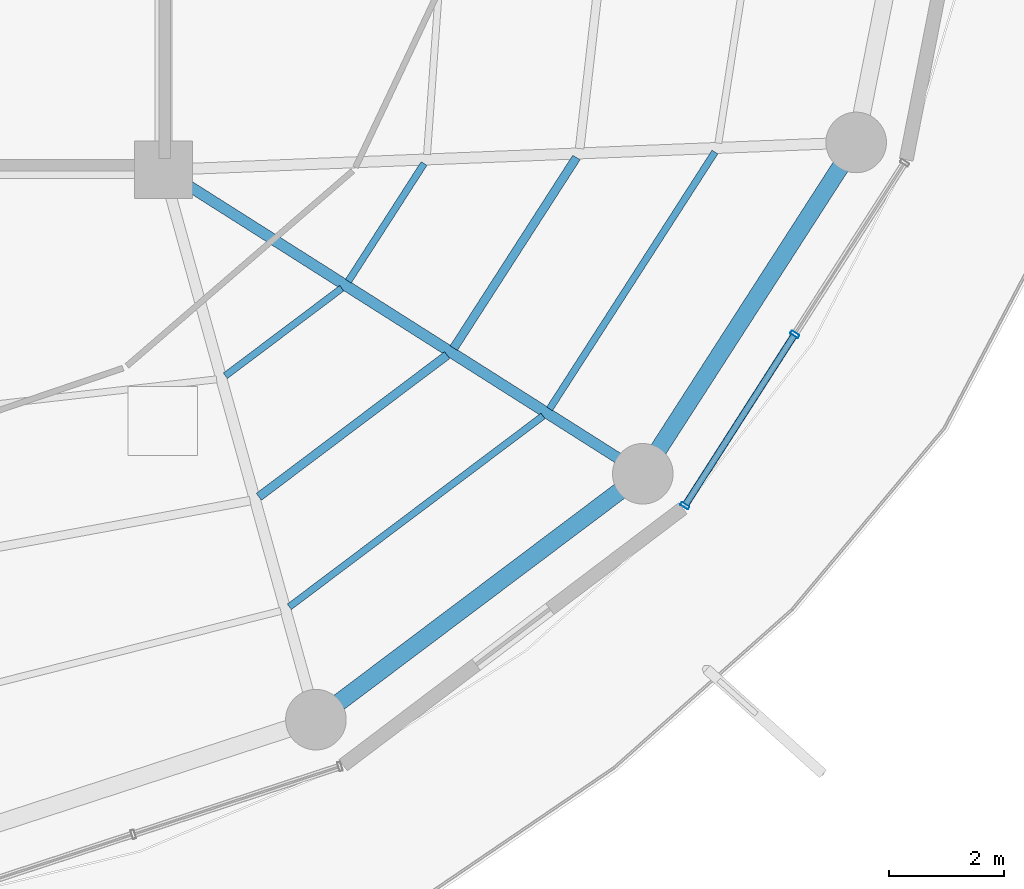
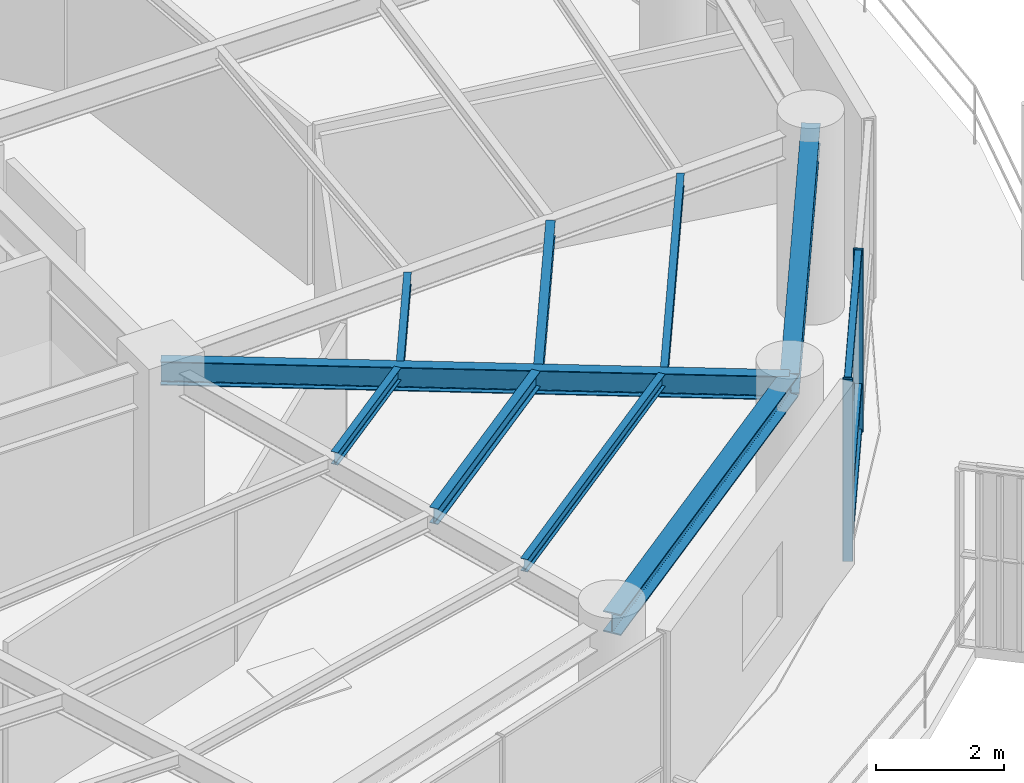
# One storey, part 11 of 31: 9 beams, 5 members, 1 element without a shape of its own.
"""IFC4 building model written with IfcOpenShell, lengths in metres."""

from ifc_helpers import new_model, si_unit, direction, frame, origin, origin_2d, place, context, subcontext, project, spatial, hollow_rectangle, i_section, extrude, material, layer, layer_set, material_profile, profile_set, type_object, element, aggregate, save


model = new_model("IFC4")

# Units and contexts
model_context = context("Model", 3, precision=1e-05, world=origin(), true_north=direction((0.0, 1.0)))
body_context = subcontext(model_context, "Body", "Model", "MODEL_VIEW")
ifc_project = project(units=[si_unit("LENGTHUNIT", "METRE"), si_unit("AREAUNIT", "SQUARE_METRE"), si_unit("VOLUMEUNIT", "CUBIC_METRE"), si_unit("PLANEANGLEUNIT", "RADIAN"), si_unit("MASSUNIT", "GRAM", prefix="KILO")], contexts=[model_context])

# Site, building, storey
site_placement = place(None, origin())
site = spatial("IfcSite", under=ifc_project, at=site_placement, CompositionType="ELEMENT")
building_placement = place(site_placement, origin())
building = spatial("IfcBuilding", under=site, at=building_placement, Name="Kelanora Arch Commons", CompositionType="ELEMENT")
storey_placement = place(building_placement, frame((0.0, 0.0, 223.199951171875)))
storey = spatial("IfcBuildingStorey", under=building, at=storey_placement, Name="L57", CompositionType="ELEMENT", Elevation=223.199951171875)

# Beams
ifc_material_1 = material(Name="Steel S355", Category="steel")
ifc_material_profile_1 = material_profile(ifc_material_1, i_section(OverallWidth=0.14990234375, OverallDepth=0.300048828125, WebThickness=0.007080078125, FlangeThickness=0.0107421875, FilletRadius=0.014892578125, at=origin_2d()), Name="IPE300")
ifc_profile_set_1 = profile_set([ifc_material_profile_1], Name="Steel S355")
beam_type_1 = type_object("IfcBeamType", Name="BM-JST-01", PredefinedType="JOIST", material=ifc_profile_set_1)
beam_1_placement = place(storey_placement, frame((83.65185546875, 45.3369140625, 3.340087890625), z_axis=(0.799101708656, 0.601195857624, 0.0), x_axis=(-0.601195857624, 0.799101708656, 0.0)))
element("IfcBeam", 1, at=beam_1_placement, inside=storey, type_object=beam_type_1, Name="Secondary Chord Joist BJB-30 L57", PredefinedType="JOIST", context=body_context, shape_type="SweptSolid", body=[
    extrude(i_section(OverallWidth=0.14990234375, OverallDepth=0.300048828125, WebThickness=0.007080078125, FlangeThickness=0.0107421875, FilletRadius=0.014892578125, at=origin_2d()), origin(), (0.0, 0.0, 1.0), 4.080810546875),
])
beam_2_placement = place(storey_placement, frame((87.02685546875, 47.912841796875, 3.340087890625), z_axis=(0.541411265892, 0.840757896879, 0.0), x_axis=(-0.840757896879, 0.541411265892, 0.0)))
element("IfcBeam", 2, at=beam_2_placement, inside=storey, type_object=beam_type_1, Name="Secondary Chord Joist BJB-32 L57", PredefinedType="JOIST", context=body_context, shape_type="SweptSolid", body=[
    extrude(i_section(OverallWidth=0.14990234375, OverallDepth=0.300048828125, WebThickness=0.007080078125, FlangeThickness=0.0107421875, FilletRadius=0.014892578125, at=origin_2d()), origin(), (0.0, 0.0, 1.0), 3.92529296875),
])
ifc_material_profile_2 = material_profile(ifc_material_1, i_section(OverallWidth=0.1201171875, OverallDepth=0.239990234375, WebThickness=0.006103515625, FlangeThickness=0.009765625, FilletRadius=0.014892578125, at=origin_2d()), Name="IPE240")
ifc_profile_set_2 = profile_set([ifc_material_profile_2], Name="Steel S355")
beam_type_2 = type_object("IfcBeamType", Name="BM-JST-02", PredefinedType="JOIST", material=ifc_profile_set_2)
beam_3_placement = place(storey_placement, frame((83.071044921875, 47.43212890625, 3.3701171875), z_axis=(0.79911638933, 0.601176343766, 0.0), x_axis=(-0.601176343766, 0.79911638933, 0.0)))
element("IfcBeam", 3, at=beam_3_placement, inside=storey, type_object=beam_type_2, Name="Secondary Chord Joist BJA-30 L57", PredefinedType="JOIST", context=body_context, shape_type="SweptSolid", body=[
    extrude(i_section(OverallWidth=0.1201171875, OverallDepth=0.239990234375, WebThickness=0.006103515625, FlangeThickness=0.009765625, FilletRadius=0.014892578125, at=origin_2d()), origin(), (0.0, 0.0, 1.0), 2.522216796875),
])
beam_4_placement = place(storey_placement, frame((84.179931640625, 43.43212890625, 3.3701171875), z_axis=(0.799109197935, 0.601185902842, 0.0), x_axis=(-0.601185902842, 0.799109197935, 0.0)))
element("IfcBeam", 4, at=beam_4_placement, inside=storey, type_object=beam_type_2, Name="Secondary Chord Joist BJC-30 L57", PredefinedType="JOIST", context=body_context, shape_type="SweptSolid", body=[
    extrude(i_section(OverallWidth=0.1201171875, OverallDepth=0.239990234375, WebThickness=0.006103515625, FlangeThickness=0.009765625, FilletRadius=0.014892578125, at=origin_2d()), origin(), (0.0, 0.0, 1.0), 5.497802734375),
])
beam_5_placement = place(storey_placement, frame((85.20068359375, 49.071044921875, 3.3701171875), z_axis=(0.541332763503, 0.840808443796, 0.0), x_axis=(-0.840808443796, 0.541332763503, 0.0)))
element("IfcBeam", 5, at=beam_5_placement, inside=storey, type_object=beam_type_2, Name="Secondary Chord Joist BJA-32 L57", PredefinedType="JOIST", context=body_context, shape_type="SweptSolid", body=[
    extrude(i_section(OverallWidth=0.1201171875, OverallDepth=0.239990234375, WebThickness=0.006103515625, FlangeThickness=0.009765625, FilletRadius=0.014892578125, at=origin_2d()), origin(), (0.0, 0.0, 1.0), 2.423583984375),
])
beam_6_placement = place(storey_placement, frame((88.68701171875, 46.85986328125, 3.3701171875), z_axis=(0.541382492679, 0.840776424872, 0.0), x_axis=(-0.840776424872, 0.541382492679, 0.0)))
element("IfcBeam", 6, at=beam_6_placement, inside=storey, type_object=beam_type_2, Name="Secondary Chord Joist BJC-32 L57", PredefinedType="JOIST", context=body_context, shape_type="SweptSolid", body=[
    extrude(i_section(OverallWidth=0.1201171875, OverallDepth=0.239990234375, WebThickness=0.006103515625, FlangeThickness=0.009765625, FilletRadius=0.014892578125, at=origin_2d()), origin(), (0.0, 0.0, 1.0), 5.29052734375),
])
ifc_material_profile_3 = material_profile(ifc_material_1, i_section(OverallWidth=0.18994140625, OverallDepth=0.449951171875, WebThickness=0.009521484375, FlangeThickness=0.0146484375, FilletRadius=0.02099609375, at=origin_2d()), Name="IPE450")
ifc_profile_set_3 = profile_set([ifc_material_profile_3], Name="Steel S355")
beam_type_3 = type_object("IfcBeamType", Name="BM-RAD-Z4", PredefinedType="BEAM", material=ifc_profile_set_3)
beam_7_placement = place(storey_placement, frame((82.0, 51.0, 3.26513671875), z_axis=(0.844507208607, -0.535544185489, 0.0), x_axis=(0.535544185489, 0.844507208607, 0.0)))
element("IfcBeam", 7, at=beam_7_placement, inside=storey, type_object=beam_type_3, Name="Radial Floor Girder BR-32 L57", PredefinedType="BEAM", context=body_context, shape_type="SweptSolid", body=[
    extrude(i_section(OverallWidth=0.18994140625, OverallDepth=0.449951171875, WebThickness=0.009521484375, FlangeThickness=0.0146484375, FilletRadius=0.02099609375, at=origin_2d()), origin(), (0.0, 0.0, 1.0), 9.830078125),
])
ifc_material_profile_4 = material_profile(ifc_material_1, i_section(OverallWidth=0.300048828125, OverallDepth=0.39990234375, WebThickness=0.013427734375, FlangeThickness=0.02392578125, FilletRadius=0.027099609375, at=origin_2d()), Name="HEB400")
ifc_profile_set_4 = profile_set([ifc_material_profile_4], Name="Steel S355")
beam_type_4 = type_object("IfcBeamType", Name="BM-SPN-Z4", PredefinedType="SPANDREL", material=ifc_profile_set_4)
beam_8_placement = place(storey_placement, frame((84.639892578125, 41.476318359375, 3.2900390625), z_axis=(0.799114211715, 0.60117923836, 0.0), x_axis=(-0.60117923836, 0.799114211715, 0.0)))
element("IfcBeam", 8, at=beam_8_placement, inside=storey, type_object=beam_type_4, Name="Perimeter Spandrel Beam BS-30 L57", PredefinedType="SPANDREL", context=body_context, shape_type="SweptSolid", body=[
    extrude(i_section(OverallWidth=0.300048828125, OverallDepth=0.39990234375, WebThickness=0.013427734375, FlangeThickness=0.02392578125, FilletRadius=0.027099609375, at=origin_2d()), origin(), (0.0, 0.0, 1.0), 7.0849609375),
])
beam_9_placement = place(storey_placement, frame((90.301513671875, 45.735595703125, 3.2900390625), z_axis=(0.541364878868, 0.840787766281, 0.0), x_axis=(-0.840787766281, 0.541364878868, 0.0)))
element("IfcBeam", 9, at=beam_9_placement, inside=storey, type_object=beam_type_4, Name="Perimeter Spandrel Beam BS-32 L57", PredefinedType="SPANDREL", context=body_context, shape_type="SweptSolid", body=[
    extrude(i_section(OverallWidth=0.300048828125, OverallDepth=0.39990234375, WebThickness=0.013427734375, FlangeThickness=0.02392578125, FilletRadius=0.027099609375, at=origin_2d()), origin(), (0.0, 0.0, 1.0), 6.825439453125),
])

# Curtain wall, members
ifc_material_2 = material(Name="Terracotta ceramic-fritted low-E glass and aluminium", Category="masonry")
ifc_layer = layer(ifc_material_2, 0.175048828125)
ifc_layer_set = layer_set([ifc_layer], Name="Terracotta ceramic-fritted low-E glass and aluminium")
curtain_wall_type = type_object("IfcCurtainWallType", Name="CW-SYS-02", PredefinedType="NOTDEFINED", material=ifc_layer_set)
curtain_wall_placement = place(storey_placement, origin())
curtain_wall = element("IfcCurtainWall", 10, at=curtain_wall_placement, inside=storey, type_object=curtain_wall_type, Name="Unitised Curtain Wall L57-B16", PredefinedType="NOTDEFINED")
ifc_material_3 = material(Name="Powder-coated aluminium terracotta", Category="masonry")
ifc_material_profile_5 = material_profile(ifc_material_3, hollow_rectangle(XDim=0.159912109375, YDim=0.06005859375, WallThickness=0.0048828125, InnerFilletRadius=0.0048828125, OuterFilletRadius=0.010009765625, at=origin_2d()), Name="CWM160x60")
ifc_profile_set_5 = profile_set([ifc_material_profile_5], Name="Powder-coated aluminium terracotta")
member_type_1 = type_object("IfcMemberType", Name="CWM-STD", PredefinedType="MULLION", material=ifc_profile_set_5)
member_1_placement = place(storey_placement, frame((91.030517578125, 45.18212890625, 0.0), z_axis=(0.0, 0.0, 1.0), x_axis=(-0.84194757539, 0.539559338994, 0.0)))
member_1 = element("IfcMember", 11, at=member_1_placement, type_object=member_type_1, Name="CW-02 mullion 1", PredefinedType="MULLION", context=body_context, shape_type="SweptSolid", body=[
    extrude(hollow_rectangle(XDim=0.159912109375, YDim=0.06005859375, WallThickness=0.0048828125, InnerFilletRadius=0.0048828125, OuterFilletRadius=0.010009765625, at=origin_2d()), origin(), (0.0, 0.0, 1.0), 3.47509765625),
])
member_2_placement = place(storey_placement, frame((92.93359375, 48.15185546875, 0.0), z_axis=(0.0, 0.0, 1.0), x_axis=(-0.84194757539, 0.539559338994, 0.0)))
member_2 = element("IfcMember", 12, at=member_2_placement, type_object=member_type_1, Name="CW-02 mullion 2", PredefinedType="MULLION", context=body_context, shape_type="SweptSolid", body=[
    extrude(hollow_rectangle(XDim=0.159912109375, YDim=0.06005859375, WallThickness=0.0048828125, InnerFilletRadius=0.0048828125, OuterFilletRadius=0.010009765625, at=origin_2d()), origin(), (0.0, 0.0, 1.0), 3.47509765625),
])
ifc_material_profile_6 = material_profile(ifc_material_3, hollow_rectangle(XDim=0.1201171875, YDim=0.06005859375, WallThickness=0.0048828125, InnerFilletRadius=0.0048828125, OuterFilletRadius=0.010009765625, at=origin_2d()), Name="CWT120x60")
ifc_profile_set_6 = profile_set([ifc_material_profile_6], Name="Powder-coated aluminium terracotta")
member_type_2 = type_object("IfcMemberType", Name="CWT-STD", PredefinedType="USERDEFINED", material=ifc_profile_set_6)
member_3_placement = place(storey_placement, frame((91.046630859375, 45.207275390625, 0.030029296875), z_axis=(0.53954710894, 0.841955412854, 0.0), x_axis=(-0.841955412854, 0.53954710894, 0.0)))
member_3 = element("IfcMember", 13, at=member_3_placement, type_object=member_type_2, Name="CW-02 transom 1.1", ObjectType="TRANSOM", PredefinedType="USERDEFINED", context=body_context, shape_type="SweptSolid", body=[
    extrude(hollow_rectangle(XDim=0.1201171875, YDim=0.06005859375, WallThickness=0.0048828125, InnerFilletRadius=0.0048828125, OuterFilletRadius=0.010009765625, at=origin_2d()), origin(), (0.0, 0.0, 1.0), 3.467529296875),
])
member_4_placement = place(storey_placement, frame((91.046630859375, 45.207275390625, 0.900146484375), z_axis=(0.53954710894, 0.841955412854, 0.0), x_axis=(-0.841955412854, 0.53954710894, 0.0)))
member_4 = element("IfcMember", 14, at=member_4_placement, type_object=member_type_2, Name="CW-02 transom 1.2", ObjectType="TRANSOM", PredefinedType="USERDEFINED", context=body_context, shape_type="SweptSolid", body=[
    extrude(hollow_rectangle(XDim=0.1201171875, YDim=0.06005859375, WallThickness=0.0048828125, InnerFilletRadius=0.0048828125, OuterFilletRadius=0.010009765625, at=origin_2d()), origin(), (0.0, 0.0, 1.0), 3.467529296875),
])
member_5_placement = place(storey_placement, frame((91.046630859375, 45.207275390625, 3.445068359375), z_axis=(0.53954710894, 0.841955412854, 0.0), x_axis=(-0.841955412854, 0.53954710894, 0.0)))
member_5 = element("IfcMember", 15, at=member_5_placement, type_object=member_type_2, Name="CW-02 transom 1.3", ObjectType="TRANSOM", PredefinedType="USERDEFINED", context=body_context, shape_type="SweptSolid", body=[
    extrude(hollow_rectangle(XDim=0.1201171875, YDim=0.06005859375, WallThickness=0.0048828125, InnerFilletRadius=0.0048828125, OuterFilletRadius=0.010009765625, at=origin_2d()), origin(), (0.0, 0.0, 1.0), 3.467529296875),
])
aggregate(curtain_wall, [member_1, member_2, member_3, member_4, member_5])

save(model, "model.ifc")
